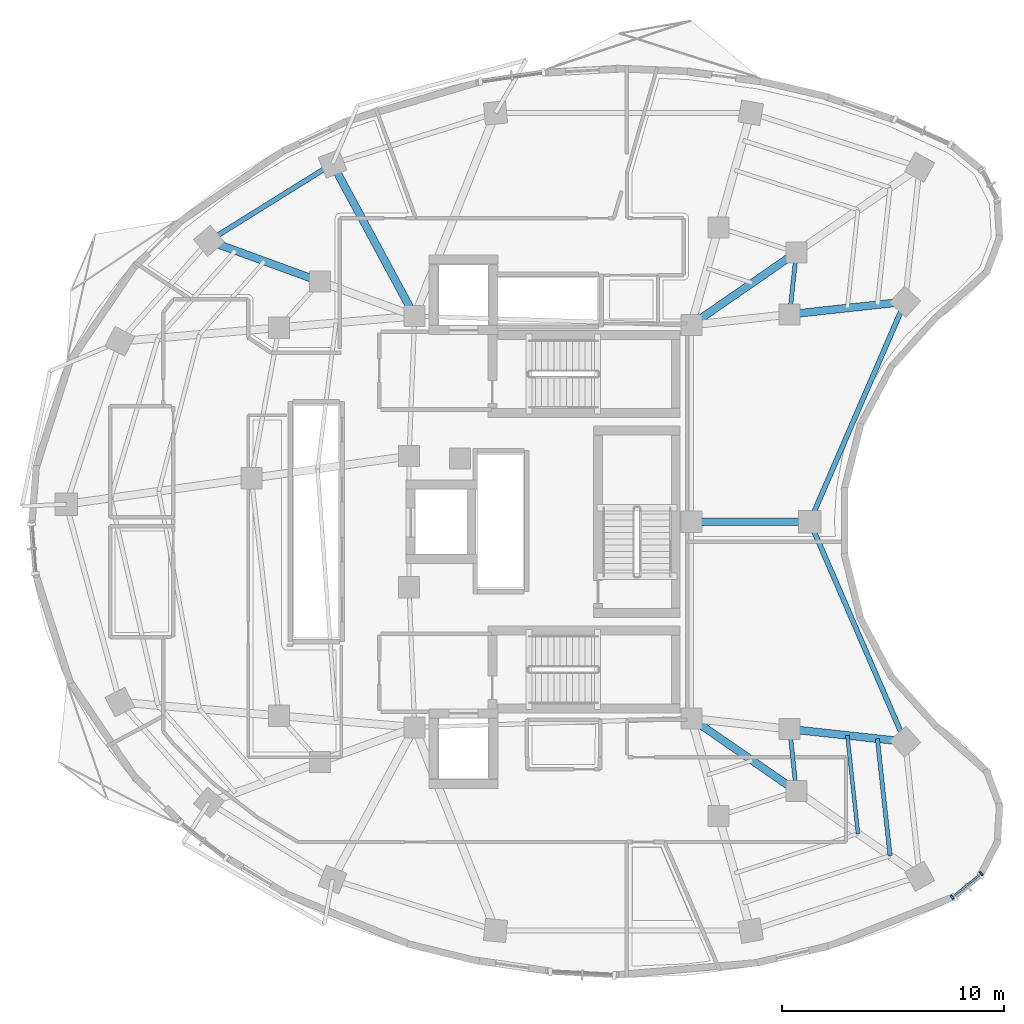
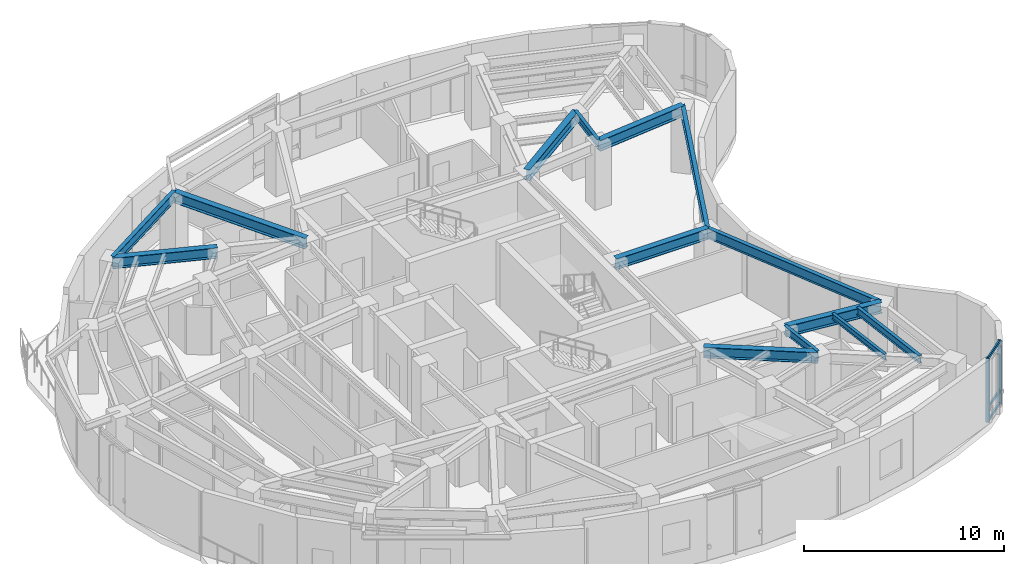
# One storey, part 4 of 13: 14 beams, 5 members, 1 element without a shape of its own.
"""IFC4 building model written with IfcOpenShell, lengths in metres."""

from ifc_helpers import new_model, si_unit, direction, frame, origin, origin_2d, place, context, subcontext, project, spatial, rectangle, i_section, extrude, material, layer, layer_set, material_profile, profile_set, type_object, element, aggregate, save


model = new_model("IFC4")

# Units and contexts
model_context = context("Model", 3, precision=1e-05, world=origin(), true_north=direction((0.0, 1.0)))
body_context = subcontext(model_context, "Body", "Model", "MODEL_VIEW")
ifc_project = project(units=[si_unit("LENGTHUNIT", "METRE"), si_unit("AREAUNIT", "SQUARE_METRE"), si_unit("VOLUMEUNIT", "CUBIC_METRE"), si_unit("PLANEANGLEUNIT", "RADIAN"), si_unit("MASSUNIT", "GRAM", prefix="KILO")], contexts=[model_context])

# Site, building, storey
site_placement = place(None, origin())
site = spatial("IfcSite", under=ifc_project, at=site_placement, CompositionType="ELEMENT")
building_placement = place(site_placement, origin())
building = spatial("IfcBuilding", under=site, at=building_placement, Name="Korentha Bioscience Tower", CompositionType="ELEMENT")
storey_placement = place(building_placement, frame((0.0, 0.0, 166.800048828125)))
storey = spatial("IfcBuildingStorey", under=building, at=storey_placement, Name="L38", CompositionType="ELEMENT", Elevation=166.800048828125)

# Beams
ifc_material_1 = material(Name="Steel S355", Category="steel")
ifc_material_profile_1 = material_profile(ifc_material_1, i_section(OverallWidth=0.18994140625, OverallDepth=0.45703125, WebThickness=0.009033203125, FlangeThickness=0.014404296875, at=origin_2d()), Name="Steel S355")
ifc_profile_set_1 = profile_set([ifc_material_profile_1], Name="Steel S355 (MB-460)")
beam_type_1 = type_object("IfcBeamType", Name="Mid-Ring Tie Girder W460x74", PredefinedType="BEAM", material=ifc_profile_set_1)
for number, where, z_axis, x_axis, name in (
    (1, (42.274658203125, 14.8828125, 3.67138671875), (-0.107283940056, 0.99422842255, 0.0), (-0.99422842255, -0.107283940056, 0.0), "L38 Mid-Ring Tie Girder 13"),
    (2, (41.97412109375, 36.33203125, 3.67138671875), (0.107283940056, 0.99422842255, 0.0), (-0.99422842255, 0.107283940056, 0.0), "L38 Mid-Ring Tie Girder 16"),
):
    element("IfcBeam", number, at=place(storey_placement, frame(where, z_axis=z_axis, x_axis=x_axis)), inside=storey, type_object=beam_type_1, Name=name, PredefinedType="BEAM", context=body_context, shape_type="SweptSolid", body=[
        extrude(i_section(OverallWidth=0.18994140625, OverallDepth=0.45703125, WebThickness=0.009033203125, FlangeThickness=0.014404296875, at=origin_2d()), origin(), (0.0, 0.0, 1.0), 2.80126953125),
    ])

# Curtain wall, members
ifc_material_2 = material(Name="Thermally Broken Aluminium Frame", Category="aluminium")
ifc_layer = layer(ifc_material_2, 0.219970703125, Name="Thermally Broken Aluminium Frame")
ifc_layer_set = layer_set([ifc_layer], Name="Thermally Broken Aluminium Frame (CW-T2)")
curtain_wall_type = type_object("IfcCurtainWallType", Name="Solar-Screened Lab Unitised Curtain Wall CW-T2", PredefinedType="USERDEFINED", material=ifc_layer_set)
curtain_wall_placement = place(storey_placement, origin())
curtain_wall = element("IfcCurtainWall", 3, at=curtain_wall_placement, inside=storey, type_object=curtain_wall_type, Name="L38 Curtain Wall 37", ObjectType="UNITISED", PredefinedType="USERDEFINED")
ifc_material_3 = material(Name="Anodised Aluminium 6063-T6", Category="aluminium")
ifc_material_profile_2 = material_profile(ifc_material_3, rectangle(XDim=0.090087890625, YDim=0.199951171875, at=origin_2d()), Name="Anodised Aluminium 6063-T6")
ifc_profile_set_2 = profile_set([ifc_material_profile_2], Name="Anodised Aluminium 6063-T6 (CW-MUL)")
member_type_1 = type_object("IfcMemberType", Name="Mullion RECT 90x200", PredefinedType="MULLION", material=ifc_profile_set_2)
member_1_placement = place(storey_placement, frame((49.28759765625, 10.105224609375, 0.0), z_axis=(0.0, 0.0, 1.0), x_axis=(0.77425646139, 0.632871971251, 0.0)))
member_1 = element("IfcMember", 4, at=member_1_placement, type_object=member_type_1, Name="CW-L38-37 Mullion 1", PredefinedType="MULLION", context=body_context, shape_type="SweptSolid", body=[
    extrude(rectangle(XDim=0.090087890625, YDim=0.199951171875, at=origin_2d()), origin(), (0.0, 0.0, 1.0), 3.89990234375),
])
member_2_placement = place(storey_placement, frame((50.58984375, 11.169677734375, 0.0), z_axis=(0.0, 0.0, 1.0), x_axis=(0.77425646139, 0.632871971251, 0.0)))
member_2 = element("IfcMember", 5, at=member_2_placement, type_object=member_type_1, Name="CW-L38-37 Mullion 2", PredefinedType="MULLION", context=body_context, shape_type="SweptSolid", body=[
    extrude(rectangle(XDim=0.090087890625, YDim=0.199951171875, at=origin_2d()), origin(), (0.0, 0.0, 1.0), 3.89990234375),
])

# Beams
ifc_material_profile_3 = material_profile(ifc_material_1, i_section(OverallWidth=0.22802734375, OverallDepth=0.60791015625, WebThickness=0.01123046875, FlangeThickness=0.017333984375, at=origin_2d()), Name="Steel S355")
ifc_profile_set_3 = profile_set([ifc_material_profile_3], Name="Steel S355 (SB-610)")
beam_type_2 = type_object("IfcBeamType", Name="Perimeter Ring Spandrel Girder W610x113", PredefinedType="SPANDREL", material=ifc_profile_set_3)
beam_1_placement = place(storey_placement, frame((21.405517578125, 43.102783203125, 3.595947265625), z_axis=(-0.848675740059, -0.528913497876, 0.0), x_axis=(0.528913497876, -0.848675740059, 0.0)))
element("IfcBeam", 6, at=beam_1_placement, inside=storey, type_object=beam_type_2, Name="L38 Perimeter Spandrel Girder 04", PredefinedType="SPANDREL", context=body_context, shape_type="SweptSolid", body=[
    extrude(i_section(OverallWidth=0.22802734375, OverallDepth=0.60791015625, WebThickness=0.01123046875, FlangeThickness=0.017333984375, at=origin_2d()), origin(), (0.0, 0.0, 1.0), 6.55322265625),
])
for number, where, z_axis, x_axis, name in (
    (7, (47.16748046875, 17.10205078125, 3.595947265625), (-0.397336815315, 0.917672847585, 0.0), (-0.917672847585, -0.397336815315, 0.0), "L38 Perimeter Spandrel Girder 14"),
    (8, (42.8818359375, 27.0, 3.595947265625), (0.397336815315, 0.917672847585, 0.0), (-0.917672847585, 0.397336815315, 0.0), "L38 Perimeter Spandrel Girder 15"),
):
    element("IfcBeam", number, at=place(storey_placement, frame(where, z_axis=z_axis, x_axis=x_axis)), inside=storey, type_object=beam_type_2, Name=name, PredefinedType="SPANDREL", context=body_context, shape_type="SweptSolid", body=[
        extrude(i_section(OverallWidth=0.22802734375, OverallDepth=0.60791015625, WebThickness=0.01123046875, FlangeThickness=0.017333984375, at=origin_2d()), origin(), (0.0, 0.0, 1.0), 10.785888671875),
    ])
ifc_material_profile_4 = material_profile(ifc_material_1, i_section(OverallWidth=0.18994140625, OverallDepth=0.45703125, WebThickness=0.009033203125, FlangeThickness=0.014404296875, at=origin_2d()), Name="Steel S355")
ifc_profile_set_4 = profile_set([ifc_material_profile_4], Name="Steel S355 (RB-460)")
beam_type_3 = type_object("IfcBeamType", Name="Radial Laboratory Beam W460x74", PredefinedType="BEAM", material=ifc_profile_set_4)
beam_2_placement = place(storey_placement, frame((46.489990234375, 11.968017578125, 3.67138671875), z_axis=(-0.107321875607, 0.994224328316, 0.0), x_axis=(-0.994224328316, -0.107321875607, 0.0)))
element("IfcBeam", 9, at=beam_2_placement, inside=storey, type_object=beam_type_3, Name="L38 Secondary Floor Beam JSTO-13", PredefinedType="BEAM", context=body_context, shape_type="SweptSolid", body=[
    extrude(i_section(OverallWidth=0.18994140625, OverallDepth=0.45703125, WebThickness=0.009033203125, FlangeThickness=0.014404296875, at=origin_2d()), origin(), (0.0, 0.0, 1.0), 5.30029296875),
])
ifc_material_profile_5 = material_profile(ifc_material_1, i_section(OverallWidth=0.35009765625, OverallDepth=0.64990234375, WebThickness=0.01611328125, FlangeThickness=0.02490234375, at=origin_2d()), Name="Steel S355")
ifc_profile_set_5 = profile_set([ifc_material_profile_5], Name="Steel S355 (RB-650)")
beam_type_4 = type_object("IfcBeamType", Name="Radial Laboratory Girder CVS 650x208", PredefinedType="BEAM", material=ifc_profile_set_5)
beam_3_placement = place(storey_placement, frame((37.550048828125, 35.85009765625, 3.574951171875), z_axis=(0.822501145898, 0.568763452584, 0.0), x_axis=(-0.568763452584, 0.822501145898, 0.0)))
element("IfcBeam", 10, at=beam_3_placement, inside=storey, type_object=beam_type_4, Name="L38 Inner Radial Girder 01", PredefinedType="BEAM", context=body_context, shape_type="SweptSolid", body=[
    extrude(i_section(OverallWidth=0.35009765625, OverallDepth=0.64990234375, WebThickness=0.01611328125, FlangeThickness=0.02490234375, at=origin_2d()), origin(), (0.0, 0.0, 1.0), 5.744140625),
])
beam_4_placement = place(storey_placement, frame((25.10009765625, 36.25, 3.574951171875), z_axis=(-0.474559790141, 0.880223270302, 0.0), x_axis=(-0.880223270302, -0.474559790141, 0.0)))
element("IfcBeam", 11, at=beam_4_placement, inside=storey, type_object=beam_type_4, Name="L38 Radial Girder 04", PredefinedType="BEAM", context=body_context, shape_type="SweptSolid", body=[
    extrude(i_section(OverallWidth=0.35009765625, OverallDepth=0.64990234375, WebThickness=0.01611328125, FlangeThickness=0.02490234375, at=origin_2d()), origin(), (0.0, 0.0, 1.0), 7.785400390625),
])
beam_5_placement = place(storey_placement, frame((20.84228515625, 37.807861328125, 3.574951171875), z_axis=(-0.939109855566, 0.343617053097, 0.0), x_axis=(-0.343617053097, -0.939109855566, 0.0)))
element("IfcBeam", 12, at=beam_5_placement, inside=storey, type_object=beam_type_4, Name="L38 Outer Radial Girder 05", PredefinedType="BEAM", context=body_context, shape_type="SweptSolid", body=[
    extrude(i_section(OverallWidth=0.35009765625, OverallDepth=0.64990234375, WebThickness=0.01611328125, FlangeThickness=0.02490234375, at=origin_2d()), origin(), (0.0, 0.0, 1.0), 5.322265625),
])
beam_6_placement = place(storey_placement, frame((37.550048828125, 18.14990234375, 3.574951171875), z_axis=(0.822501145898, -0.568763452584, 0.0), x_axis=(0.568763452584, 0.822501145898, 0.0)))
element("IfcBeam", 13, at=beam_6_placement, inside=storey, type_object=beam_type_4, Name="L38 Inner Radial Girder 13", PredefinedType="BEAM", context=body_context, shape_type="SweptSolid", body=[
    extrude(i_section(OverallWidth=0.35009765625, OverallDepth=0.64990234375, WebThickness=0.01611328125, FlangeThickness=0.02490234375, at=origin_2d()), origin(), (0.0, 0.0, 1.0), 5.744140625),
])
beam_7_placement = place(storey_placement, frame((41.97412109375, 17.66796875, 3.574951171875), z_axis=(0.994115177281, -0.108328271011, 0.0), x_axis=(0.108328271011, 0.994115177281, 0.0)))
element("IfcBeam", 14, at=beam_7_placement, inside=storey, type_object=beam_type_4, Name="L38 Outer Radial Girder 14", PredefinedType="BEAM", context=body_context, shape_type="SweptSolid", body=[
    extrude(i_section(OverallWidth=0.35009765625, OverallDepth=0.64990234375, WebThickness=0.01611328125, FlangeThickness=0.02490234375, at=origin_2d()), origin(), (0.0, 0.0, 1.0), 5.22412109375),
])
beam_8_placement = place(storey_placement, frame((37.550048828125, 27.0, 3.574951171875), z_axis=(1.0, 0.0, 0.0), x_axis=(0.0, 1.0, 0.0)))
element("IfcBeam", 15, at=beam_8_placement, inside=storey, type_object=beam_type_4, Name="L38 Radial Girder 15", PredefinedType="BEAM", context=body_context, shape_type="SweptSolid", body=[
    extrude(i_section(OverallWidth=0.35009765625, OverallDepth=0.64990234375, WebThickness=0.01611328125, FlangeThickness=0.02490234375, at=origin_2d()), origin(), (0.0, 0.0, 1.0), 5.331787109375),
])
beam_9_placement = place(storey_placement, frame((41.97412109375, 36.33203125, 3.574951171875), z_axis=(0.994115177281, 0.108328271011, 0.0), x_axis=(-0.108328271011, 0.994115177281, 0.0)))
element("IfcBeam", 16, at=beam_9_placement, inside=storey, type_object=beam_type_4, Name="L38 Outer Radial Girder 16", PredefinedType="BEAM", context=body_context, shape_type="SweptSolid", body=[
    extrude(i_section(OverallWidth=0.35009765625, OverallDepth=0.64990234375, WebThickness=0.01611328125, FlangeThickness=0.02490234375, at=origin_2d()), origin(), (0.0, 0.0, 1.0), 5.22412109375),
])
ifc_material_profile_6 = material_profile(ifc_material_1, i_section(OverallWidth=0.1708984375, OverallDepth=0.35498046875, WebThickness=0.007080078125, FlangeThickness=0.01171875, at=origin_2d()), Name="Steel S355")
ifc_profile_set_6 = profile_set([ifc_material_profile_6], Name="Steel S355 (JB-360)")
beam_type_5 = type_object("IfcBeamType", Name="Secondary Laboratory Joist W360x51", PredefinedType="JOIST", material=ifc_profile_set_6)
beam_10_placement = place(storey_placement, frame((45.0478515625, 12.965087890625, 3.722412109375), z_axis=(-0.107308722475, 0.994225748048, 0.0), x_axis=(-0.994225748048, -0.107308722475, 0.0)))
element("IfcBeam", 17, at=beam_10_placement, inside=storey, type_object=beam_type_5, Name="L38 Secondary Floor Beam JST-13", PredefinedType="JOIST", context=body_context, shape_type="SweptSolid", body=[
    extrude(i_section(OverallWidth=0.1708984375, OverallDepth=0.35498046875, WebThickness=0.007080078125, FlangeThickness=0.01171875, at=origin_2d()), origin(), (0.0, 0.0, 1.0), 4.445556640625),
])

# Member
ifc_material_profile_7 = material_profile(ifc_material_3, rectangle(XDim=0.090087890625, YDim=0.159912109375, at=origin_2d()), Name="Anodised Aluminium 6063-T6")
ifc_profile_set_7 = profile_set([ifc_material_profile_7], Name="Anodised Aluminium 6063-T6 (CW-TRN)")
member_type_2 = type_object("IfcMemberType", Name="Transom RECT 90x160", PredefinedType="USERDEFINED", material=ifc_profile_set_7)
member_3_placement = place(storey_placement, frame((49.322509765625, 10.1337890625, 0.044921875), z_axis=(0.77427156069, 0.632853498297, 0.0), x_axis=(-0.632853498297, 0.77427156069, 0.0)))
member_3 = element("IfcMember", 18, at=member_3_placement, type_object=member_type_2, Name="CW-L38-37 Bay 1 Transom 1", ObjectType="TRANSOM", PredefinedType="USERDEFINED", context=body_context, shape_type="SweptSolid", body=[
    extrude(rectangle(XDim=0.090087890625, YDim=0.159912109375, at=origin_2d()), origin(), (0.0, 0.0, 1.0), 1.591796875),
])

member_4_placement = place(storey_placement, frame((49.322509765625, 10.1337890625, 0.849853515625), z_axis=(0.77427156069, 0.632853498297, 0.0), x_axis=(-0.632853498297, 0.77427156069, 0.0)))
member_4 = element("IfcMember", 19, at=member_4_placement, type_object=member_type_2, Name="CW-L38-37 Bay 1 Transom 2", ObjectType="TRANSOM", PredefinedType="USERDEFINED", context=body_context, shape_type="SweptSolid", body=[
    extrude(rectangle(XDim=0.090087890625, YDim=0.159912109375, at=origin_2d()), origin(), (0.0, 0.0, 1.0), 1.591796875),
])

member_5_placement = place(storey_placement, frame((49.322509765625, 10.1337890625, 3.85498046875), z_axis=(0.77427156069, 0.632853498297, 0.0), x_axis=(-0.632853498297, 0.77427156069, 0.0)))
member_5 = element("IfcMember", 20, at=member_5_placement, type_object=member_type_2, Name="CW-L38-37 Bay 1 Transom 3", ObjectType="TRANSOM", PredefinedType="USERDEFINED", context=body_context, shape_type="SweptSolid", body=[
    extrude(rectangle(XDim=0.090087890625, YDim=0.159912109375, at=origin_2d()), origin(), (0.0, 0.0, 1.0), 1.591796875),
])

aggregate(curtain_wall, [member_1, member_2, member_3, member_4, member_5])

save(model, "model.ifc")
